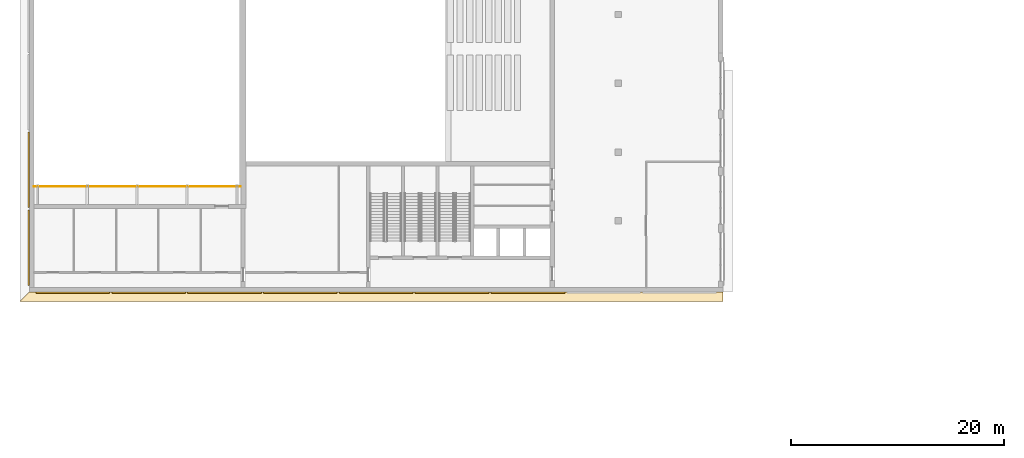
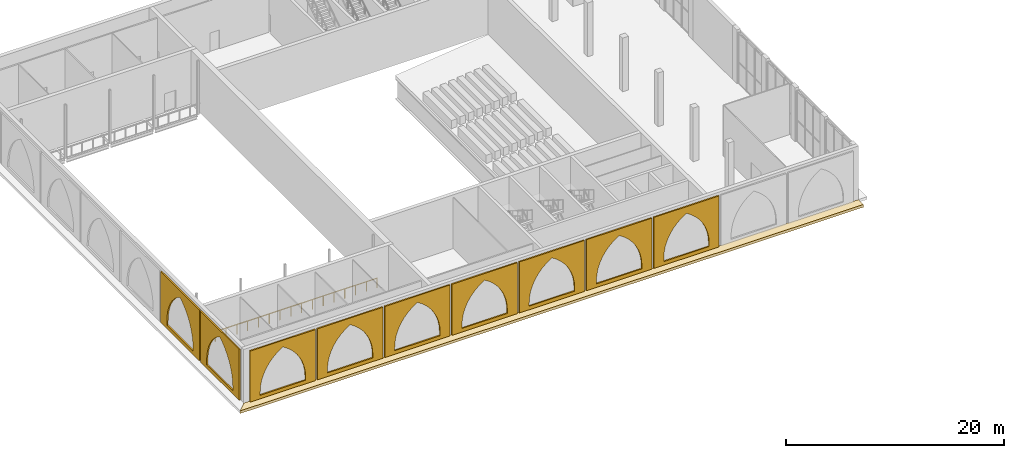
# One storey, part 29 of 74: 10 coverings, 1 railing.
"""IFC4 building model written with IfcOpenShell, lengths in metres."""

from ifc_helpers import new_model, si_unit, direction, frame, origin, origin_2d, place, context, subcontext, project, spatial, polyline, rectangle, outline, extrude, material, layer, layer_set, type_object, element, save


model = new_model("IFC4")

# Units and contexts
model_context = context("Model", 3, precision=1e-05, world=origin(), true_north=direction((0.0, 1.0)))
body_context = subcontext(model_context, "Body", "Model", "MODEL_VIEW")
ifc_project = project(units=[si_unit("LENGTHUNIT", "METRE"), si_unit("AREAUNIT", "SQUARE_METRE"), si_unit("VOLUMEUNIT", "CUBIC_METRE"), si_unit("PLANEANGLEUNIT", "RADIAN"), si_unit("MASSUNIT", "GRAM", prefix="KILO")], contexts=[model_context])

# Site, building, storey
site_placement = place(None, origin())
site = spatial("IfcSite", under=ifc_project, at=site_placement, CompositionType="ELEMENT")
building_placement = place(site_placement, origin())
building = spatial("IfcBuilding", under=site, at=building_placement, Name="Noorbagh Ring Tower", CompositionType="ELEMENT")
storey_placement = place(building_placement, frame((0.0, 0.0, 7.5)))
storey = spatial("IfcBuildingStorey", under=building, at=storey_placement, Name="L01", CompositionType="ELEMENT", Elevation=7.5)

# Coverings
ifc_material_1 = material(Name="Red sandstone cladding", Category="masonry")
ifc_layer = layer(ifc_material_1, 0.14990234375)
ifc_layer_set = layer_set([ifc_layer], Name="Red sandstone cladding")
covering_type_1 = type_object("IfcCoveringType", Name="STH-BLIND", PredefinedType="USERDEFINED", material=ifc_layer_set)
covering_1_placement = place(storey_placement, frame((-159.39990234375, -21.14990234375, 0.0), z_axis=(0.0, -1.0, 0.0), x_axis=(1.0, 0.0, 0.0)))
element("IfcCovering", 1, at=covering_1_placement, inside=storey, type_object=covering_type_1, Name="Blind arch bay", ObjectType="ARCH", PredefinedType="USERDEFINED", context=body_context, shape_type="SweptSolid", body=[
    extrude(outline(polyline([(0.0, 0.0), (6.910888671875, 0.0), (6.910888671875, 5.699951171875), (0.0, 5.699951171875), (0.0, 0.0)]), holes=[polyline([(1.0556640625, 0.39990234375), (1.0556640625, 0.800048828125), (1.0966796875, 1.426513671875), (1.21923828125, 2.042236328125), (1.4208984375, 2.636962890625), (1.69873046875, 3.199951171875), (2.047607421875, 3.72216796875), (2.46142578125, 4.194091796875), (2.93359375, 4.608154296875), (3.45556640625, 4.956787109375), (3.977783203125, 4.608154296875), (4.44970703125, 4.194091796875), (4.86376953125, 3.72216796875), (5.21240234375, 3.199951171875), (5.490234375, 2.636962890625), (5.69189453125, 2.042236328125), (5.814453125, 1.426513671875), (5.855712890625, 0.800048828125), (5.855712890625, 0.39990234375), (1.0556640625, 0.39990234375)])]), origin(), (0.0, 0.0, -1.0), 0.14990234375),
])
for number, where, z_axis, x_axis, name in (
    (2, (-152.288818359375, -21.14990234375, 0.0), (0.0, -1.0, 0.0), (1.0, 0.0, 0.0), "Blind arch bay"),
    (3, (-145.177734375, -21.14990234375, 0.0), (0.0, -1.0, 0.0), (1.0, 0.0, 0.0), "Blind arch bay"),
    (4, (-138.066650390625, -21.14990234375, 0.0), (0.0, -1.0, 0.0), (1.0, 0.0, 0.0), "Blind arch bay"),
    (5, (-130.95556640625, -21.14990234375, 0.0), (0.0, -1.0, 0.0), (1.0, 0.0, 0.0), "Blind arch bay"),
    (6, (-123.844482421875, -21.14990234375, 0.0), (0.0, -1.0, 0.0), (1.0, 0.0, 0.0), "Blind arch bay"),
    (7, (-116.7333984375, -21.14990234375, 0.0), (0.0, -1.0, 0.0), (1.0, 0.0, 0.0), "Blind arch bay"),
):
    element("IfcCovering", number, at=place(storey_placement, frame(where, z_axis=z_axis, x_axis=x_axis)), inside=storey, type_object=covering_type_1, Name=name, ObjectType="ARCH", PredefinedType="USERDEFINED", context=body_context, shape_type="SweptSolid", body=[
        extrude(outline(polyline([(0.0, 0.0), (6.9111328125, 0.0), (6.9111328125, 5.699951171875), (0.0, 5.699951171875), (0.0, 0.0)]), holes=[polyline([(1.0556640625, 0.39990234375), (1.0556640625, 0.800048828125), (1.0966796875, 1.426513671875), (1.21923828125, 2.042236328125), (1.4208984375, 2.636962890625), (1.69873046875, 3.199951171875), (2.047607421875, 3.72216796875), (2.46142578125, 4.194091796875), (2.93359375, 4.608154296875), (3.45556640625, 4.956787109375), (3.977783203125, 4.608154296875), (4.44970703125, 4.194091796875), (4.86376953125, 3.72216796875), (5.21240234375, 3.199951171875), (5.490234375, 2.636962890625), (5.69189453125, 2.042236328125), (5.814453125, 1.426513671875), (5.855712890625, 0.800048828125), (5.855712890625, 0.39990234375), (1.0556640625, 0.39990234375)])]), origin(), (0.0, 0.0, -1.0), 0.14990234375),
    ])
for number, where, z_axis, x_axis, name in (
    (8, (-160.14990234375, -6.028564453125, 0.0), (-1.0, 0.0, 0.0), (0.0, -1.0, 0.0), "Blind arch bay"),
    (9, (-160.14990234375, -13.314208984375, 0.0), (-1.0, 0.0, 0.0), (0.0, -1.0, 0.0), "Blind arch bay"),
):
    element("IfcCovering", number, at=place(storey_placement, frame(where, z_axis=z_axis, x_axis=x_axis)), inside=storey, type_object=covering_type_1, Name=name, ObjectType="ARCH", PredefinedType="USERDEFINED", context=body_context, shape_type="SweptSolid", body=[
        extrude(outline(polyline([(0.0, 0.0), (7.085693359375, 0.0), (7.085693359375, 5.699951171875), (0.0, 5.699951171875), (0.0, 0.0)]), holes=[polyline([(1.142822265625, 0.39990234375), (1.142822265625, 0.800048828125), (1.18408203125, 1.426513671875), (1.306396484375, 2.042236328125), (1.50830078125, 2.636962890625), (1.785888671875, 3.199951171875), (2.134765625, 3.72216796875), (2.548828125, 4.194091796875), (3.020751953125, 4.608154296875), (3.54296875, 4.956787109375), (4.06494140625, 4.608154296875), (4.537109375, 4.194091796875), (4.950927734375, 3.72216796875), (5.2998046875, 3.199951171875), (5.577392578125, 2.636962890625), (5.779296875, 2.042236328125), (5.90185546875, 1.426513671875), (5.94287109375, 0.800048828125), (5.94287109375, 0.39990234375), (1.142822265625, 0.39990234375)])]), origin(), (0.0, 0.0, -1.0), 0.14990234375),
    ])
ifc_material_2 = material(Name="Red sandstone eave", Category="masonry")
covering_type_2 = type_object("IfcCoveringType", Name="STH-CHHAJJA", PredefinedType="USERDEFINED", material=ifc_material_2)
covering_2_placement = place(storey_placement, frame((0.0, 0.0, -0.300048828125)))
element("IfcCovering", 10, at=covering_2_placement, inside=storey, type_object=covering_type_2, Name="Chhajja eave", ObjectType="CHHAJJA", PredefinedType="USERDEFINED", context=body_context, shape_type="SweptSolid", body=[
    extrude(outline(polyline([(-160.0, -21.0), (-95.0, -21.0), (-95.0, -21.89990234375), (-160.89990234375, -21.89990234375), (-160.0, -21.0)])), origin(), (0.0, 0.0, 1.0), 0.300048828125),
])

# Railing
ifc_material_3 = material(Name="Stainless steel", Category="steel")
railing_type = type_object("IfcRailingType", Name="TH-GUARD", PredefinedType="GUARDRAIL", material=ifc_material_3)
railing_placement = place(storey_placement, frame((-159.60009765625, -11.139892578125, 0.0)))
element("IfcRailing", 11, at=railing_placement, inside=storey, type_object=railing_type, Name="Fly gallery guard S", PredefinedType="GUARDRAIL", context=body_context, shape_type="SweptSolid", body=[
    extrude(rectangle(XDim=0.048095703125, YDim=0.048095703125, at=origin_2d()), frame((0.0, 0.0, 1.076171875), z_axis=(1.0, 0.0, 0.0), x_axis=(0.0, 1.0, 0.0)), (0.0, 0.0, 1.0), 19.400146484375),
    extrude(rectangle(XDim=0.0419921875, YDim=0.0419921875, at=origin_2d()), origin(), (0.0, 0.0, 1.0), 1.052001953125),
    extrude(rectangle(XDim=0.0419921875, YDim=0.0419921875, at=origin_2d()), frame((1.14111328125, 0.0, 0.0)), (0.0, 0.0, 1.0), 1.052001953125),
    extrude(rectangle(XDim=0.0419921875, YDim=0.0419921875, at=origin_2d()), frame((2.282470703125, 0.0, 0.0)), (0.0, 0.0, 1.0), 1.052001953125),
    extrude(rectangle(XDim=0.0419921875, YDim=0.0419921875, at=origin_2d()), frame((3.423583984375, 0.0, 0.0)), (0.0, 0.0, 1.0), 1.052001953125),
    extrude(rectangle(XDim=0.0419921875, YDim=0.0419921875, at=origin_2d()), frame((4.564697265625, 0.0, 0.0)), (0.0, 0.0, 1.0), 1.052001953125),
    extrude(rectangle(XDim=0.0419921875, YDim=0.0419921875, at=origin_2d()), frame((5.705810546875, 0.0, 0.0)), (0.0, 0.0, 1.0), 1.052001953125),
    extrude(rectangle(XDim=0.0419921875, YDim=0.0419921875, at=origin_2d()), frame((6.84716796875, 0.0, 0.0)), (0.0, 0.0, 1.0), 1.052001953125),
    extrude(rectangle(XDim=0.0419921875, YDim=0.0419921875, at=origin_2d()), frame((7.98828125, 0.0, 0.0)), (0.0, 0.0, 1.0), 1.052001953125),
    extrude(rectangle(XDim=0.0419921875, YDim=0.0419921875, at=origin_2d()), frame((9.12939453125, 0.0, 0.0)), (0.0, 0.0, 1.0), 1.052001953125),
    extrude(rectangle(XDim=0.0419921875, YDim=0.0419921875, at=origin_2d()), frame((10.270751953125, 0.0, 0.0)), (0.0, 0.0, 1.0), 1.052001953125),
    extrude(rectangle(XDim=0.0419921875, YDim=0.0419921875, at=origin_2d()), frame((11.411865234375, 0.0, 0.0)), (0.0, 0.0, 1.0), 1.052001953125),
    extrude(rectangle(XDim=0.0419921875, YDim=0.0419921875, at=origin_2d()), frame((12.552978515625, 0.0, 0.0)), (0.0, 0.0, 1.0), 1.052001953125),
    extrude(rectangle(XDim=0.0419921875, YDim=0.0419921875, at=origin_2d()), frame((13.6943359375, 0.0, 0.0)), (0.0, 0.0, 1.0), 1.052001953125),
    extrude(rectangle(XDim=0.0419921875, YDim=0.0419921875, at=origin_2d()), frame((14.83544921875, 0.0, 0.0)), (0.0, 0.0, 1.0), 1.052001953125),
    extrude(rectangle(XDim=0.0419921875, YDim=0.0419921875, at=origin_2d()), frame((15.9765625, 0.0, 0.0)), (0.0, 0.0, 1.0), 1.052001953125),
    extrude(rectangle(XDim=0.0419921875, YDim=0.0419921875, at=origin_2d()), frame((17.11767578125, 0.0, 0.0)), (0.0, 0.0, 1.0), 1.052001953125),
    extrude(rectangle(XDim=0.0419921875, YDim=0.0419921875, at=origin_2d()), frame((18.259033203125, 0.0, 0.0)), (0.0, 0.0, 1.0), 1.052001953125),
    extrude(rectangle(XDim=0.0419921875, YDim=0.0419921875, at=origin_2d()), frame((19.400146484375, 0.0, 0.0)), (0.0, 0.0, 1.0), 1.052001953125),
])

save(model, "model.ifc")
